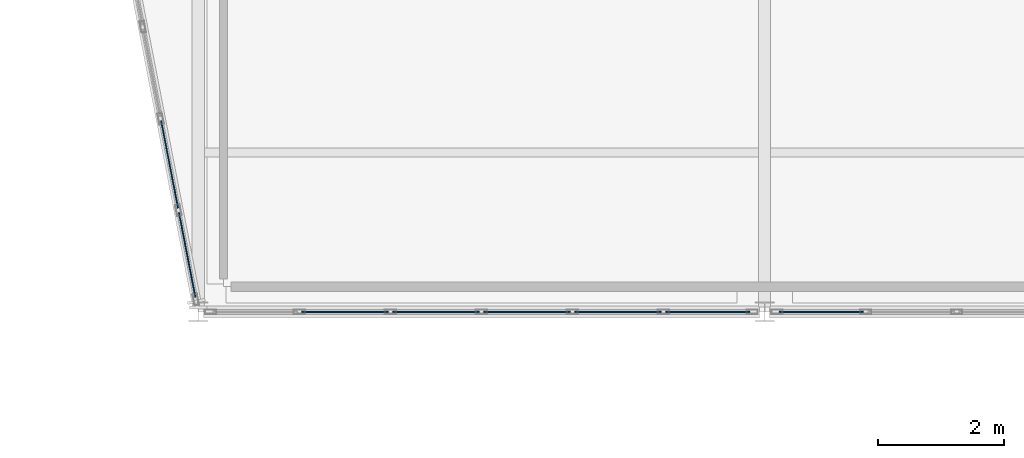
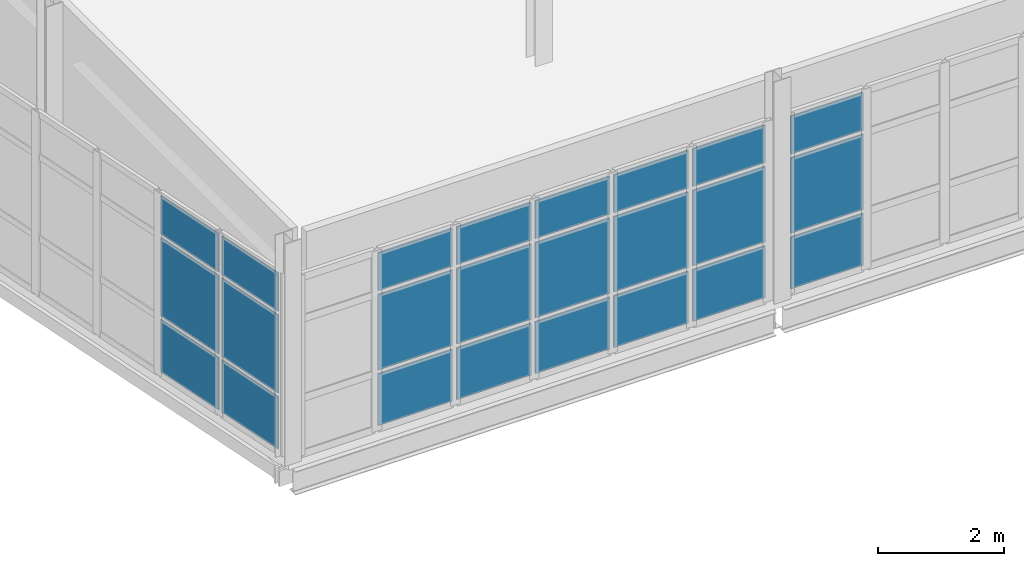
# One storey, part 129 of 166: 24 plates, 3 elements without a shape of their own.
"""IFC4 building model written with IfcOpenShell, lengths in metres."""

from ifc_helpers import new_model, si_unit, direction, frame, origin, origin_2d, place, context, subcontext, project, spatial, rectangle, extrude, material, layer, layer_set, type_object, element, aggregate, save


model = new_model("IFC4")

# Units and contexts
model_context = context("Model", 3, precision=1e-05, world=origin(), true_north=direction((0.0, 1.0)))
body_context = subcontext(model_context, "Body", "Model", "MODEL_VIEW")
ifc_project = project(units=[si_unit("LENGTHUNIT", "METRE"), si_unit("AREAUNIT", "SQUARE_METRE"), si_unit("VOLUMEUNIT", "CUBIC_METRE"), si_unit("PLANEANGLEUNIT", "RADIAN"), si_unit("MASSUNIT", "GRAM", prefix="KILO")], contexts=[model_context])

# Site, building, storey
site_placement = place(None, origin())
site = spatial("IfcSite", under=ifc_project, at=site_placement, CompositionType="ELEMENT")
building_placement = place(site_placement, origin())
building = spatial("IfcBuilding", under=site, at=building_placement, Name="Caisbarro Railhouse Central Library", CompositionType="ELEMENT")
storey_placement = place(building_placement, frame((0.0, 0.0, 9.360107421875)))
storey = spatial("IfcBuildingStorey", under=building, at=storey_placement, Name="L02", CompositionType="ELEMENT", Elevation=9.360107421875)

# Curtain wall, plates
ifc_material_1 = material(Name="Anodised architectural aluminium", Category="aluminium")
curtain_wall_type = type_object("IfcCurtainWallType", Name="CW-CW02", PredefinedType="NOTDEFINED", material=ifc_material_1)
curtain_wall_1_placement = place(storey_placement, origin())
curtain_wall_1 = element("IfcCurtainWall", 1, at=curtain_wall_1_placement, inside=storey, type_object=curtain_wall_type, Name="CW02 curtain wall L02 #126", PredefinedType="NOTDEFINED")
ifc_material_2 = material(Name="Double low-e laminated solar-control glass", Category="glass")
ifc_layer_1 = layer(ifc_material_2, 0.01806640625, Name="Double low-e laminated solar-control glass")
ifc_layer_set_1 = layer_set([ifc_layer_1], Name="Double low-e laminated solar-control glass")
plate_type_1 = type_object("IfcPlateType", Name="CWP-CP18", PredefinedType="CURTAIN_PANEL", material=ifc_layer_set_1)
plate_1_placement = place(storey_placement, frame((116.82421875, 61.7041015625, 0.06494140625), z_axis=(0.0, 0.0, 1.0), x_axis=(-0.190780945369, 0.981632635401, 0.0)))
plate_1 = element("IfcPlate", 2, at=plate_1_placement, type_object=plate_type_1, Name="CW02 panel 1.1", PredefinedType="CURTAIN_PANEL", context=body_context, shape_type="SweptSolid", body=[
    extrude(rectangle(XDim=1.371826171875, YDim=0.01806640625, at=origin_2d()), origin(), (0.0, 0.0, 1.0), 1.0224609375),
])
plate_2_placement = place(storey_placement, frame((116.82421875, 61.7041015625, 1.15234375), z_axis=(0.0, 0.0, 1.0), x_axis=(-0.190780945369, 0.981632635401, 0.0)))
plate_2 = element("IfcPlate", 3, at=plate_2_placement, type_object=plate_type_1, Name="CW02 panel 1.2", PredefinedType="CURTAIN_PANEL", context=body_context, shape_type="SweptSolid", body=[
    extrude(rectangle(XDim=1.371826171875, YDim=0.01806640625, at=origin_2d()), origin(), (0.0, 0.0, 1.0), 1.52490234375),
])
plate_3_placement = place(storey_placement, frame((116.82421875, 61.7041015625, 2.742431640625), z_axis=(0.0, 0.0, 1.0), x_axis=(-0.190780945369, 0.981632635401, 0.0)))
plate_3 = element("IfcPlate", 4, at=plate_3_placement, type_object=plate_type_1, Name="CW02 panel 1.3", PredefinedType="CURTAIN_PANEL", context=body_context, shape_type="SweptSolid", body=[
    extrude(rectangle(XDim=1.371826171875, YDim=0.01806640625, at=origin_2d()), origin(), (0.0, 0.0, 1.0), 0.75244140625),
])
plate_4_placement = place(storey_placement, frame((116.544677734375, 63.142822265625, 0.06494140625), z_axis=(0.0, 0.0, 1.0), x_axis=(-0.190780945369, 0.981632635401, 0.0)))
plate_4 = element("IfcPlate", 5, at=plate_4_placement, type_object=plate_type_1, Name="CW02 panel 2.1", PredefinedType="CURTAIN_PANEL", context=body_context, shape_type="SweptSolid", body=[
    extrude(rectangle(XDim=1.409423828125, YDim=0.01806640625, at=origin_2d()), origin(), (0.0, 0.0, 1.0), 1.0224609375),
])
plate_5_placement = place(storey_placement, frame((116.544677734375, 63.142822265625, 1.15234375), z_axis=(0.0, 0.0, 1.0), x_axis=(-0.190780945369, 0.981632635401, 0.0)))
plate_5 = element("IfcPlate", 6, at=plate_5_placement, type_object=plate_type_1, Name="CW02 panel 2.2", PredefinedType="CURTAIN_PANEL", context=body_context, shape_type="SweptSolid", body=[
    extrude(rectangle(XDim=1.409423828125, YDim=0.01806640625, at=origin_2d()), origin(), (0.0, 0.0, 1.0), 1.52490234375),
])
plate_6_placement = place(storey_placement, frame((116.544677734375, 63.142822265625, 2.742431640625), z_axis=(0.0, 0.0, 1.0), x_axis=(-0.190780945369, 0.981632635401, 0.0)))
plate_6 = element("IfcPlate", 7, at=plate_6_placement, type_object=plate_type_1, Name="CW02 panel 2.3", PredefinedType="CURTAIN_PANEL", context=body_context, shape_type="SweptSolid", body=[
    extrude(rectangle(XDim=1.409423828125, YDim=0.01806640625, at=origin_2d()), origin(), (0.0, 0.0, 1.0), 0.75244140625),
])
aggregate(curtain_wall_1, [plate_1, plate_2, plate_3, plate_4, plate_5, plate_6])

curtain_wall_2_placement = place(storey_placement, origin())
curtain_wall_2 = element("IfcCurtainWall", 8, at=curtain_wall_2_placement, inside=storey, type_object=curtain_wall_type, Name="CW02 curtain wall L02 #133", PredefinedType="NOTDEFINED")
ifc_layer_2 = layer(ifc_material_2, 0.028076171875, Name="Double low-e laminated solar-control glass")
ifc_layer_set_2 = layer_set([ifc_layer_2], Name="Double low-e laminated solar-control glass")
plate_type_2 = type_object("IfcPlateType", Name="CWP-CP28", PredefinedType="CURTAIN_PANEL", material=ifc_layer_set_2)
plate_7_placement = place(storey_placement, frame((119.330078125, 60.800048828125, 0.07470703125), z_axis=(0.0, 0.0, 1.0), x_axis=(1.0, 0.0, 0.0)))
plate_7 = element("IfcPlate", 9, at=plate_7_placement, type_object=plate_type_2, Name="CW02 panel 2.1", PredefinedType="CURTAIN_PANEL", context=body_context, shape_type="SweptSolid", body=[
    extrude(rectangle(XDim=1.37158203125, YDim=0.028076171875, at=origin_2d()), origin(), (0.0, 0.0, 1.0), 1.007568359375),
])
plate_8_placement = place(storey_placement, frame((119.330078125, 60.800048828125, 1.1572265625), z_axis=(0.0, 0.0, 1.0), x_axis=(1.0, 0.0, 0.0)))
plate_8 = element("IfcPlate", 10, at=plate_8_placement, type_object=plate_type_2, Name="CW02 panel 2.2", PredefinedType="CURTAIN_PANEL", context=body_context, shape_type="SweptSolid", body=[
    extrude(rectangle(XDim=1.37158203125, YDim=0.028076171875, at=origin_2d()), origin(), (0.0, 0.0, 1.0), 1.465087890625),
])
plate_9_placement = place(storey_placement, frame((119.330078125, 60.800048828125, 2.697265625), z_axis=(0.0, 0.0, 1.0), x_axis=(1.0, 0.0, 0.0)))
plate_9 = element("IfcPlate", 11, at=plate_9_placement, type_object=plate_type_2, Name="CW02 panel 2.3", PredefinedType="CURTAIN_PANEL", context=body_context, shape_type="SweptSolid", body=[
    extrude(rectangle(XDim=1.37158203125, YDim=0.028076171875, at=origin_2d()), origin(), (0.0, 0.0, 1.0), 0.737548828125),
])
plate_10_placement = place(storey_placement, frame((120.776611328125, 60.800048828125, 0.07470703125), z_axis=(0.0, 0.0, 1.0), x_axis=(1.0, 0.0, 0.0)))
plate_10 = element("IfcPlate", 12, at=plate_10_placement, type_object=plate_type_2, Name="CW02 panel 3.1", PredefinedType="CURTAIN_PANEL", context=body_context, shape_type="SweptSolid", body=[
    extrude(rectangle(XDim=1.37158203125, YDim=0.028076171875, at=origin_2d()), origin(), (0.0, 0.0, 1.0), 1.007568359375),
])
plate_11_placement = place(storey_placement, frame((120.776611328125, 60.800048828125, 1.1572265625), z_axis=(0.0, 0.0, 1.0), x_axis=(1.0, 0.0, 0.0)))
plate_11 = element("IfcPlate", 13, at=plate_11_placement, type_object=plate_type_2, Name="CW02 panel 3.2", PredefinedType="CURTAIN_PANEL", context=body_context, shape_type="SweptSolid", body=[
    extrude(rectangle(XDim=1.37158203125, YDim=0.028076171875, at=origin_2d()), origin(), (0.0, 0.0, 1.0), 1.465087890625),
])
plate_12_placement = place(storey_placement, frame((120.776611328125, 60.800048828125, 2.697265625), z_axis=(0.0, 0.0, 1.0), x_axis=(1.0, 0.0, 0.0)))
plate_12 = element("IfcPlate", 14, at=plate_12_placement, type_object=plate_type_2, Name="CW02 panel 3.3", PredefinedType="CURTAIN_PANEL", context=body_context, shape_type="SweptSolid", body=[
    extrude(rectangle(XDim=1.37158203125, YDim=0.028076171875, at=origin_2d()), origin(), (0.0, 0.0, 1.0), 0.737548828125),
])
plate_13_placement = place(storey_placement, frame((122.223388671875, 60.800048828125, 0.07470703125), z_axis=(0.0, 0.0, 1.0), x_axis=(1.0, 0.0, 0.0)))
plate_13 = element("IfcPlate", 15, at=plate_13_placement, type_object=plate_type_2, Name="CW02 panel 4.1", PredefinedType="CURTAIN_PANEL", context=body_context, shape_type="SweptSolid", body=[
    extrude(rectangle(XDim=1.37158203125, YDim=0.028076171875, at=origin_2d()), origin(), (0.0, 0.0, 1.0), 1.007568359375),
])
plate_14_placement = place(storey_placement, frame((122.223388671875, 60.800048828125, 1.1572265625), z_axis=(0.0, 0.0, 1.0), x_axis=(1.0, 0.0, 0.0)))
plate_14 = element("IfcPlate", 16, at=plate_14_placement, type_object=plate_type_2, Name="CW02 panel 4.2", PredefinedType="CURTAIN_PANEL", context=body_context, shape_type="SweptSolid", body=[
    extrude(rectangle(XDim=1.37158203125, YDim=0.028076171875, at=origin_2d()), origin(), (0.0, 0.0, 1.0), 1.465087890625),
])
plate_15_placement = place(storey_placement, frame((122.223388671875, 60.800048828125, 2.697265625), z_axis=(0.0, 0.0, 1.0), x_axis=(1.0, 0.0, 0.0)))
plate_15 = element("IfcPlate", 17, at=plate_15_placement, type_object=plate_type_2, Name="CW02 panel 4.3", PredefinedType="CURTAIN_PANEL", context=body_context, shape_type="SweptSolid", body=[
    extrude(rectangle(XDim=1.37158203125, YDim=0.028076171875, at=origin_2d()), origin(), (0.0, 0.0, 1.0), 0.737548828125),
])
plate_16_placement = place(storey_placement, frame((123.669921875, 60.800048828125, 0.07470703125), z_axis=(0.0, 0.0, 1.0), x_axis=(1.0, 0.0, 0.0)))
plate_16 = element("IfcPlate", 18, at=plate_16_placement, type_object=plate_type_2, Name="CW02 panel 5.1", PredefinedType="CURTAIN_PANEL", context=body_context, shape_type="SweptSolid", body=[
    extrude(rectangle(XDim=1.37158203125, YDim=0.028076171875, at=origin_2d()), origin(), (0.0, 0.0, 1.0), 1.007568359375),
])
plate_17_placement = place(storey_placement, frame((123.669921875, 60.800048828125, 1.1572265625), z_axis=(0.0, 0.0, 1.0), x_axis=(1.0, 0.0, 0.0)))
plate_17 = element("IfcPlate", 19, at=plate_17_placement, type_object=plate_type_2, Name="CW02 panel 5.2", PredefinedType="CURTAIN_PANEL", context=body_context, shape_type="SweptSolid", body=[
    extrude(rectangle(XDim=1.37158203125, YDim=0.028076171875, at=origin_2d()), origin(), (0.0, 0.0, 1.0), 1.465087890625),
])
plate_18_placement = place(storey_placement, frame((123.669921875, 60.800048828125, 2.697265625), z_axis=(0.0, 0.0, 1.0), x_axis=(1.0, 0.0, 0.0)))
plate_18 = element("IfcPlate", 20, at=plate_18_placement, type_object=plate_type_2, Name="CW02 panel 5.3", PredefinedType="CURTAIN_PANEL", context=body_context, shape_type="SweptSolid", body=[
    extrude(rectangle(XDim=1.37158203125, YDim=0.028076171875, at=origin_2d()), origin(), (0.0, 0.0, 1.0), 0.737548828125),
])
plate_19_placement = place(storey_placement, frame((125.097900390625, 60.800048828125, 0.07470703125), z_axis=(0.0, 0.0, 1.0), x_axis=(1.0, 0.0, 0.0)))
plate_19 = element("IfcPlate", 21, at=plate_19_placement, type_object=plate_type_2, Name="CW02 panel 6.1", PredefinedType="CURTAIN_PANEL", context=body_context, shape_type="SweptSolid", body=[
    extrude(rectangle(XDim=1.334228515625, YDim=0.028076171875, at=origin_2d()), origin(), (0.0, 0.0, 1.0), 1.007568359375),
])
plate_20_placement = place(storey_placement, frame((125.097900390625, 60.800048828125, 1.1572265625), z_axis=(0.0, 0.0, 1.0), x_axis=(1.0, 0.0, 0.0)))
plate_20 = element("IfcPlate", 22, at=plate_20_placement, type_object=plate_type_2, Name="CW02 panel 6.2", PredefinedType="CURTAIN_PANEL", context=body_context, shape_type="SweptSolid", body=[
    extrude(rectangle(XDim=1.334228515625, YDim=0.028076171875, at=origin_2d()), origin(), (0.0, 0.0, 1.0), 1.465087890625),
])
plate_21_placement = place(storey_placement, frame((125.097900390625, 60.800048828125, 2.697265625), z_axis=(0.0, 0.0, 1.0), x_axis=(1.0, 0.0, 0.0)))
plate_21 = element("IfcPlate", 23, at=plate_21_placement, type_object=plate_type_2, Name="CW02 panel 6.3", PredefinedType="CURTAIN_PANEL", context=body_context, shape_type="SweptSolid", body=[
    extrude(rectangle(XDim=1.334228515625, YDim=0.028076171875, at=origin_2d()), origin(), (0.0, 0.0, 1.0), 0.737548828125),
])
aggregate(curtain_wall_2, [plate_7, plate_8, plate_9, plate_10, plate_11, plate_12, plate_13, plate_14, plate_15, plate_16, plate_17, plate_18, plate_19, plate_20, plate_21])

curtain_wall_3_placement = place(storey_placement, origin())
curtain_wall_3 = element("IfcCurtainWall", 24, at=curtain_wall_3_placement, inside=storey, type_object=curtain_wall_type, Name="CW02 curtain wall L02 #134", PredefinedType="NOTDEFINED")
plate_22_placement = place(storey_placement, frame((126.902099609375, 60.800048828125, 0.07470703125), z_axis=(0.0, 0.0, 1.0), x_axis=(1.0, 0.0, 0.0)))
plate_22 = element("IfcPlate", 25, at=plate_22_placement, type_object=plate_type_2, Name="CW02 panel 1.1", PredefinedType="CURTAIN_PANEL", context=body_context, shape_type="SweptSolid", body=[
    extrude(rectangle(XDim=1.334228515625, YDim=0.028076171875, at=origin_2d()), origin(), (0.0, 0.0, 1.0), 1.007568359375),
])
plate_23_placement = place(storey_placement, frame((126.902099609375, 60.800048828125, 1.1572265625), z_axis=(0.0, 0.0, 1.0), x_axis=(1.0, 0.0, 0.0)))
plate_23 = element("IfcPlate", 26, at=plate_23_placement, type_object=plate_type_2, Name="CW02 panel 1.2", PredefinedType="CURTAIN_PANEL", context=body_context, shape_type="SweptSolid", body=[
    extrude(rectangle(XDim=1.334228515625, YDim=0.028076171875, at=origin_2d()), origin(), (0.0, 0.0, 1.0), 1.465087890625),
])
plate_24_placement = place(storey_placement, frame((126.902099609375, 60.800048828125, 2.697265625), z_axis=(0.0, 0.0, 1.0), x_axis=(1.0, 0.0, 0.0)))
plate_24 = element("IfcPlate", 27, at=plate_24_placement, type_object=plate_type_2, Name="CW02 panel 1.3", PredefinedType="CURTAIN_PANEL", context=body_context, shape_type="SweptSolid", body=[
    extrude(rectangle(XDim=1.334228515625, YDim=0.028076171875, at=origin_2d()), origin(), (0.0, 0.0, 1.0), 0.737548828125),
])
aggregate(curtain_wall_3, [plate_22, plate_23, plate_24])

save(model, "model.ifc")
